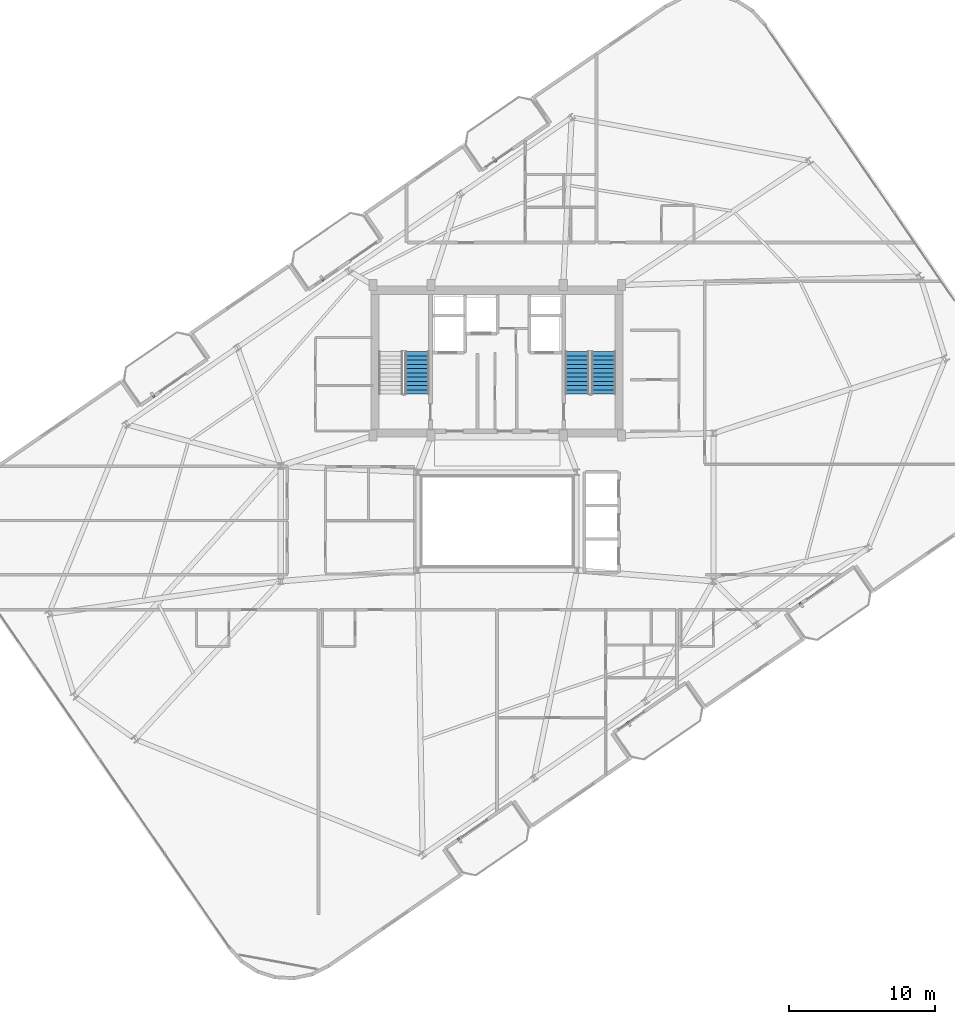
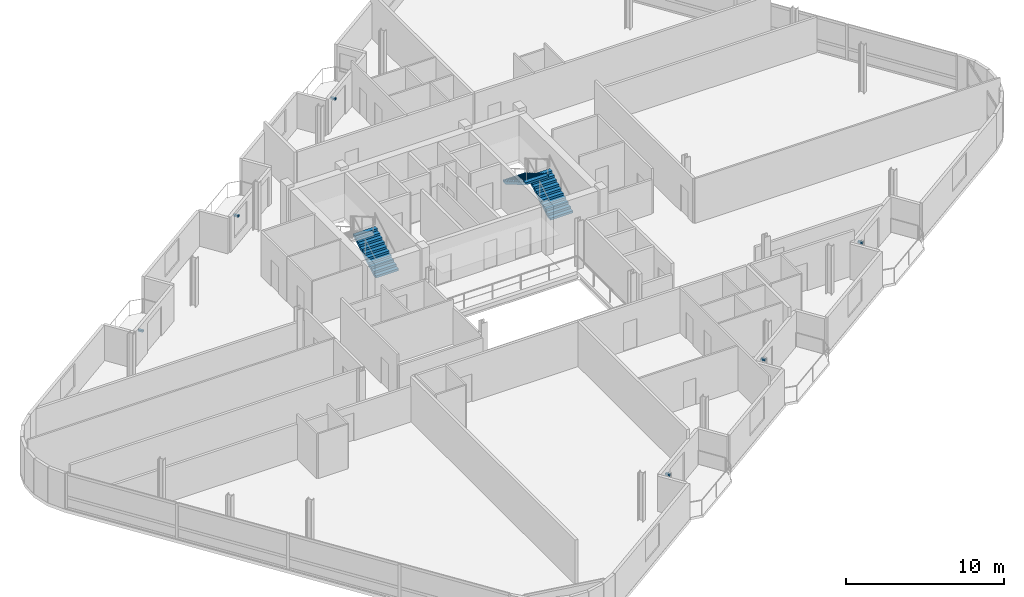
# One storey, part 20 of 23: 6 discrete accessories, 3 stair flights, 2 elements without a shape of their own.
"""IFC4 building model written with IfcOpenShell, lengths in metres."""

import ifcopenshell
import ifcopenshell.guid

model = None  # the IFC model being written
_history = None  # IfcOwnerHistory: only IFC2X3 demands one
_inside = {}  # id of a spatial element -> (the spatial element, [elements in it])
_under = {}  # id of a project, library or spatial element -> (it, [spatial elements below it])
_declared = {}  # id of a project -> (the project, [libraries it declares])
_typed = {}  # id of a type object -> (the type object, [elements of that type])
_made_of = {}  # id of a material, layer set ... -> (it, [elements and type objects made of it])


def new_model(schema):
    """Start an empty IFC model of exactly this schema.

    Asked for "IFC4X3", IfcOpenShell would pick the latest addendum, in which some entities
    have other attributes; the version numbers below select the first issue.
    IFC2X3 requires an IfcOwnerHistory on every rooted entity: one is made here for all.
    """
    global model, _history
    if schema == "IFC4X3":
        model = ifcopenshell.file(schema_version=(4, 3, 0, 0))
    else:
        model = ifcopenshell.file(schema=schema)
    _inside.clear()
    _under.clear()
    _declared.clear()
    _typed.clear()
    _made_of.clear()
    _history = None
    if model.schema == "IFC2X3":
        org = make("IfcOrganization", Name="unknown")
        user = make(
            "IfcPersonAndOrganization",
            ThePerson=make("IfcPerson", FamilyName="unknown"),
            TheOrganization=org,
        )
        app = make(
            "IfcApplication",
            ApplicationDeveloper=org,
            Version="unknown",
            ApplicationFullName="unknown",
            ApplicationIdentifier="unknown",
        )
        _history = make(
            "IfcOwnerHistory",
            OwningUser=user,
            OwningApplication=app,
            ChangeAction="ADDED",
            CreationDate=0,
        )
    return model


def make(cls, **values):
    """One entity of the class cls with the attributes given. An attribute that is None is left unset."""
    return model.create_entity(
        cls, **{name: value for name, value in values.items() if value is not None}
    )


def rooted(cls, **values):
    """An entity with a GlobalId (a new one), such as an element, a storey or a relation."""
    return make(cls, GlobalId=ifcopenshell.guid.new(), OwnerHistory=_history, **values)


def si_unit(unit_type, name, prefix=None):
    """IfcSIUnit, for example si_unit("LENGTHUNIT", "METRE", prefix="MILLI")."""
    return make("IfcSIUnit", UnitType=unit_type, Prefix=prefix, Name=name)


def assignment(units):
    """IfcUnitAssignment: the units of a project."""
    return None if units is None else make("IfcUnitAssignment", Units=units)


def point(xyz):
    """IfcCartesianPoint."""
    return None if xyz is None else make("IfcCartesianPoint", Coordinates=xyz)


def direction(xyz):
    """IfcDirection."""
    return None if xyz is None else make("IfcDirection", DirectionRatios=xyz)


def frame(location, z_axis=None, x_axis=None):
    """IfcAxis2Placement3D, a coordinate frame: its origin and axes. An axis left out is left unset."""
    return make(
        "IfcAxis2Placement3D",
        Location=point(location),
        Axis=direction(z_axis),
        RefDirection=direction(x_axis),
    )


def frame_2d(location, x_axis=None):
    """IfcAxis2Placement2D, a coordinate frame in the plane: its origin and x axis."""
    return make(
        "IfcAxis2Placement2D", Location=point(location), RefDirection=direction(x_axis)
    )


def origin():
    """The frame at (0, 0, 0) with its axes left unset."""
    return frame((0.0, 0.0, 0.0))


def origin_2d():
    """The frame at (0, 0) in the plane with its x axis left unset."""
    return frame_2d((0.0, 0.0))


def place(relative_to, where):
    """IfcLocalPlacement: puts the frame where relative to a parent placement (None: the world)."""
    return make(
        "IfcLocalPlacement", PlacementRelTo=relative_to, RelativePlacement=where
    )


def context(
    kind, dimensions, precision=None, world=None, true_north=None, identifier=None
):
    """IfcGeometricRepresentationContext, for example the 3D "Model" context."""
    return make(
        "IfcGeometricRepresentationContext",
        ContextIdentifier=identifier,
        ContextType=kind,
        CoordinateSpaceDimension=dimensions,
        Precision=precision,
        WorldCoordinateSystem=world,
        TrueNorth=true_north,
    )


def subcontext(parent, identifier, kind, view, scale=None):
    """IfcGeometricRepresentationSubContext, for example "Body" below "Model"."""
    return make(
        "IfcGeometricRepresentationSubContext",
        ContextIdentifier=identifier,
        ContextType=kind,
        ParentContext=parent,
        TargetScale=scale,
        TargetView=view,
    )


def project(units=None, contexts=None):
    """IfcProject with its units and contexts."""
    return rooted(
        "IfcProject",
        Name="project",
        RepresentationContexts=contexts,
        UnitsInContext=assignment(units),
    )


def spatial(cls, under=None, at=None, **own):
    """A site, building, storey or space (cls), placed at a placement, below another one or the project."""
    s = rooted(cls, ObjectPlacement=at, **own)
    if under is not None:
        _under.setdefault(under.id(), (under, []))[1].append(s)
    return s


def polyline(points):
    """IfcPolyline through the points."""
    return make("IfcPolyline", Points=[point(p) for p in points])


def profile(cls, at=None, kind="AREA", **sizes):
    """A parametric profile (cls). Its sizes go by their IFC names, for example OverallWidth=200.0."""
    return make(cls, ProfileType=kind, Position=at, **sizes)


def rectangle(**sizes):
    """IfcRectangleProfileDef."""
    return profile("IfcRectangleProfileDef", **sizes)


def outline(outer, holes=None, kind="AREA"):
    """IfcArbitraryClosedProfileDef: a profile drawn as a closed curve; with holes, ...WithVoids."""
    if holes is None:
        return make("IfcArbitraryClosedProfileDef", ProfileType=kind, OuterCurve=outer)
    return make(
        "IfcArbitraryProfileDefWithVoids",
        ProfileType=kind,
        OuterCurve=outer,
        InnerCurves=holes,
    )


def extrude(swept, where, along, depth):
    """IfcExtrudedAreaSolid: the profile swept, set in the frame where, extruded along a direction by depth."""
    return make(
        "IfcExtrudedAreaSolid",
        SweptArea=swept,
        Position=where,
        ExtrudedDirection=direction(along),
        Depth=depth,
    )


def shape(context_of_items, identifier, shape_type, items):
    """IfcShapeRepresentation: the items that make up one representation, for example the "Body"."""
    return make(
        "IfcShapeRepresentation",
        ContextOfItems=context_of_items,
        RepresentationIdentifier=identifier,
        RepresentationType=shape_type,
        Items=items,
    )


def source(mapping_origin, context_of_items, identifier, shape_type, items):
    """IfcRepresentationMap: a shape defined once, which mapped items show again and again."""
    return make(
        "IfcRepresentationMap",
        MappingOrigin=mapping_origin,
        MappedRepresentation=shape(context_of_items, identifier, shape_type, items),
    )


def transform(
    local_origin,
    x_axis=None,
    y_axis=None,
    z_axis=None,
    scale=None,
    scale2=None,
    scale3=None,
    uniform=True,
):
    """IfcCartesianTransformationOperator3D, or its non-uniform kind. x_axis, y_axis, z_axis: its Axis1, 2, 3."""
    if uniform:
        return make(
            "IfcCartesianTransformationOperator3D",
            Axis1=direction(x_axis),
            Axis2=direction(y_axis),
            LocalOrigin=point(local_origin),
            Scale=scale,
            Axis3=direction(z_axis),
        )
    return make(
        "IfcCartesianTransformationOperator3DnonUniform",
        Axis1=direction(x_axis),
        Axis2=direction(y_axis),
        LocalOrigin=point(local_origin),
        Scale=scale,
        Axis3=direction(z_axis),
        Scale2=scale2,
        Scale3=scale3,
    )


def mapped(mapping_source, mapping_target):
    """IfcMappedItem: shows the shape of a source again, moved by a transform."""
    return make(
        "IfcMappedItem", MappingSource=mapping_source, MappingTarget=mapping_target
    )


def material(Name=None, Category=None):
    """IfcMaterial."""
    return make("IfcMaterial", Name=Name, Category=Category)


def made_of(thing, what):
    """Note that an element or type object is made of a material, layer set ...; save() writes the relation."""
    if what is not None:
        _made_of.setdefault(what.id(), (what, []))[1].append(thing)
    return thing


def type_object(cls, material=None, **own):
    """A type object (cls), such as IfcWallType, which elements share."""
    return made_of(rooted(cls, **own), material)


def element(
    cls,
    number,
    at=None,
    inside=None,
    cuts=None,
    type_object=None,
    material=None,
    context=None,
    identifier="Body",
    shape_type=None,
    held_by="IfcProductDefinitionShape",
    body=None,
    shapes=None,
    **own,
):
    """One element of the class cls, such as IfcWall. Its Tag is "e" and its number.

    at: its placement. inside: the storey or other place that contains it. cuts: it is an
    opening in that element (IfcRelVoidsElement). A single representation is given by context,
    identifier, shape_type and body (its items); several are given by shapes. held_by: the class
    of the entity that holds the representations. save() writes the other relations.
    """
    e = rooted(cls, Tag="e%d" % number, ObjectPlacement=at, **own)
    if body is not None:
        shapes = [shape(context, identifier, shape_type, body)]
    if shapes is not None:
        e.Representation = make(held_by, Representations=shapes)
    if inside is not None:
        _inside.setdefault(inside.id(), (inside, []))[1].append(e)
    if cuts is not None:
        rooted(
            "IfcRelVoidsElement", RelatingBuildingElement=cuts, RelatedOpeningElement=e
        )
    if type_object is not None:
        _typed.setdefault(type_object.id(), (type_object, []))[1].append(e)
    return made_of(e, material)


def aggregate(whole, parts):
    """IfcRelAggregates: a whole, such as a stair, and the parts it consists of."""
    return rooted("IfcRelAggregates", RelatingObject=whole, RelatedObjects=parts)


def save(model, path):
    """Write the relations noted so far, then the file.

    IfcRelAggregates (storeys below a building ...), IfcRelContainedInSpatialStructure (elements
    in a storey), IfcRelDefinesByType, IfcRelAssociatesMaterial and IfcRelDeclares: one each for
    every whole, place, type object, material and project.
    """
    for whole, parts in _under.values():
        aggregate(whole, parts)
    for where, things in _inside.values():
        rooted(
            "IfcRelContainedInSpatialStructure",
            RelatedElements=things,
            RelatingStructure=where,
        )
    for kind, things in _typed.values():
        rooted("IfcRelDefinesByType", RelatedObjects=things, RelatingType=kind)
    for what, things in _made_of.values():
        rooted("IfcRelAssociatesMaterial", RelatedObjects=things, RelatingMaterial=what)
    for by, libraries in _declared.values():
        rooted("IfcRelDeclares", RelatingContext=by, RelatedDefinitions=libraries)
    model.write(path)


model = new_model("IFC4")

# Units and contexts
model_context = context("Model", 3, precision=1e-05, world=origin(), true_north=direction((0.0, 1.0)))
body_context = subcontext(model_context, "Body", "Model", "MODEL_VIEW")
ifc_project = project(units=[si_unit("LENGTHUNIT", "METRE"), si_unit("AREAUNIT", "SQUARE_METRE"), si_unit("VOLUMEUNIT", "CUBIC_METRE"), si_unit("PLANEANGLEUNIT", "RADIAN"), si_unit("MASSUNIT", "GRAM", prefix="KILO")], contexts=[model_context])

# Site, building, storey
site_placement = place(None, origin())
site = spatial("IfcSite", under=ifc_project, at=site_placement, CompositionType="ELEMENT")
building_placement = place(site_placement, origin())
building = spatial("IfcBuilding", under=site, at=building_placement, Name="Varnelok Gate Tower", CompositionType="ELEMENT")
storey_placement = place(building_placement, frame((0.0, 0.0, 273.0)))
storey = spatial("IfcBuildingStorey", under=building, at=storey_placement, Name="L70", CompositionType="ELEMENT", Elevation=273.0)

# Stair, stair flight
ifc_material_1 = material(Name="Concrete C50/60", Category="concrete")
stair_type = type_object("IfcStairType", Name="STR-CORE-1650", PredefinedType="HALF_TURN_STAIR", material=ifc_material_1)
stair_1_placement = place(storey_placement, origin())
stair_1 = element("IfcStair", 1, at=stair_1_placement, inside=storey, type_object=stair_type, Name="L70 Exit Stair ST-1", PredefinedType="HALF_TURN_STAIR")
stair_flight_type = type_object("IfcStairFlightType", Name="SFL-CORE-1650", PredefinedType="STRAIGHT", material=ifc_material_1)
stair_flight_1_placement = place(storey_placement, frame((33.72509765625, 31.60009765625, 0.0), z_axis=(0.0, 0.0, 1.0), x_axis=(0.0, 1.0, 0.0)))
stair_flight_1 = element("IfcStairFlight", 2, at=stair_flight_1_placement, type_object=stair_flight_type, Name="ST-1 flight 1", NumberOfRisers=11, NumberOfTreads=10, PredefinedType="STRAIGHT", RiserHeight=0.168181818, TreadLength=0.29, context=body_context, shape_type="SweptSolid", body=[
    extrude(outline(polyline([(0.0, 0.0), (0.0, 0.168212890625), (0.2900390625, 0.168212890625), (0.2900390625, 0.33642578125), (0.580078125, 0.33642578125), (0.580078125, 0.504638671875), (0.8701171875, 0.504638671875), (0.8701171875, 0.672607421875), (1.159912109375, 0.672607421875), (1.159912109375, 0.8408203125), (1.449951171875, 0.8408203125), (1.449951171875, 1.009033203125), (1.739990234375, 1.009033203125), (1.739990234375, 1.17724609375), (2.030029296875, 1.17724609375), (2.030029296875, 1.345458984375), (2.320068359375, 1.345458984375), (2.320068359375, 1.513671875), (2.610107421875, 1.513671875), (2.610107421875, 1.681884765625), (2.89990234375, 1.681884765625), (2.89990234375, 1.85009765625), (2.89990234375, 1.508544921875), (0.298828125, 0.0), (0.0, 0.0)])), frame((0.0, 0.824951171875, 0.0), z_axis=(0.0, -1.0, 0.0), x_axis=(1.0, 0.0, 0.0)), (0.0, 0.0, 1.0), 1.64990234375),
])
aggregate(stair_1, [stair_flight_1])

# Stair, stair flights
stair_2_placement = place(storey_placement, origin())
stair_2 = element("IfcStair", 3, at=stair_2_placement, inside=storey, type_object=stair_type, Name="L70 Exit Stair ST-2", PredefinedType="HALF_TURN_STAIR")
stair_flight_2_placement = place(storey_placement, frame((46.47509765625, 31.60009765625, 0.0), z_axis=(0.0, 0.0, 1.0), x_axis=(0.0, 1.0, 0.0)))
stair_flight_2 = element("IfcStairFlight", 4, at=stair_flight_2_placement, type_object=stair_flight_type, Name="ST-2 flight 1", NumberOfRisers=11, NumberOfTreads=10, PredefinedType="STRAIGHT", RiserHeight=0.168181818, TreadLength=0.29, context=body_context, shape_type="SweptSolid", body=[
    extrude(outline(polyline([(0.0, 0.0), (0.0, 0.168212890625), (0.2900390625, 0.168212890625), (0.2900390625, 0.33642578125), (0.580078125, 0.33642578125), (0.580078125, 0.504638671875), (0.8701171875, 0.504638671875), (0.8701171875, 0.672607421875), (1.159912109375, 0.672607421875), (1.159912109375, 0.8408203125), (1.449951171875, 0.8408203125), (1.449951171875, 1.009033203125), (1.739990234375, 1.009033203125), (1.739990234375, 1.17724609375), (2.030029296875, 1.17724609375), (2.030029296875, 1.345458984375), (2.320068359375, 1.345458984375), (2.320068359375, 1.513671875), (2.610107421875, 1.513671875), (2.610107421875, 1.681884765625), (2.89990234375, 1.681884765625), (2.89990234375, 1.85009765625), (2.89990234375, 1.508544921875), (0.298828125, 0.0), (0.0, 0.0)])), frame((0.0, 0.824951171875, 0.0), z_axis=(0.0, -1.0, 0.0), x_axis=(1.0, 0.0, 0.0)), (0.0, 0.0, 1.0), 1.64990234375),
])
stair_flight_3_placement = place(storey_placement, frame((44.675048828125, 34.5, 1.85009765625), z_axis=(0.0, 0.0, 1.0), x_axis=(0.0, -1.0, 0.0)))
stair_flight_3 = element("IfcStairFlight", 5, at=stair_flight_3_placement, type_object=stair_flight_type, Name="ST-2 flight 2", NumberOfRisers=11, NumberOfTreads=10, PredefinedType="STRAIGHT", RiserHeight=0.168181818, TreadLength=0.29, context=body_context, shape_type="SweptSolid", body=[
    extrude(outline(polyline([(0.0, 0.0), (0.0, 0.168212890625), (0.2900390625, 0.168212890625), (0.2900390625, 0.33642578125), (0.580078125, 0.33642578125), (0.580078125, 0.504638671875), (0.8701171875, 0.504638671875), (0.8701171875, 0.672607421875), (1.159912109375, 0.672607421875), (1.159912109375, 0.8408203125), (1.449951171875, 0.8408203125), (1.449951171875, 1.009033203125), (1.739990234375, 1.009033203125), (1.739990234375, 1.17724609375), (2.030029296875, 1.17724609375), (2.030029296875, 1.345458984375), (2.320068359375, 1.345458984375), (2.320068359375, 1.513671875), (2.610107421875, 1.513671875), (2.610107421875, 1.681884765625), (2.89990234375, 1.681884765625), (2.89990234375, 1.85009765625), (2.89990234375, 1.508544921875), (0.298828125, 0.0), (0.0, 0.0)])), frame((0.0, 0.824951171875, 0.0), z_axis=(0.0, -1.0, 0.0), x_axis=(1.0, 0.0, 0.0)), (0.0, 0.0, 1.0), 1.64990234375),
])
aggregate(stair_2, [stair_flight_2, stair_flight_3])

# Discrete accessories
ifc_material_2 = material(Name="Structural Steel ASTM A500 Grade C", Category="steel")
discrete_accessory_type = type_object("IfcDiscreteAccessoryType", Name="ACC-BAGUETTE-BRK", PredefinedType="BRACKET", material=ifc_material_2)
shared_shape = source(origin(), body_context, "Body", "SweptSolid", [
    extrude(rectangle(XDim=0.159912109375, YDim=0.340087890625, at=origin_2d()), origin(), (0.0, 0.0, 1.0), 0.139892578125),
])
for number, where, z_axis, x_axis, name in (
    (6, (36.62158203125, 1.09619140625, 1.97998046875), (0.0, 0.0, 1.0), (0.823532597628, 0.567268949127, 0.0), "L70 Terracotta Baguette Bracket 1.1"),
    (7, (48.195068359375, 9.068359375, 1.97998046875), (0.0, 0.0, 1.0), (0.823532597628, 0.567268949127, 0.0), "L70 Terracotta Baguette Bracket 2.1"),
    (8, (59.982666015625, 17.187744140625, 1.97998046875), (0.0, 0.0, 1.0), (0.823532597628, 0.567268949127, 0.0), "L70 Terracotta Baguette Bracket 3.1"),
    (9, (15.66650390625, 31.517333984375, 1.97998046875), (0.0, 0.0, 1.0), (0.823532597628, 0.567268949127, 0.0), "L70 Terracotta Baguette Bracket 4.1"),
    (10, (27.240234375, 39.489501953125, 1.97998046875), (0.0, 0.0, 1.0), (0.823532597628, 0.567268949127, 0.0), "L70 Terracotta Baguette Bracket 5.1"),
    (11, (39.027587890625, 47.609130859375, 1.97998046875), (0.0, 0.0, 1.0), (0.823532597628, 0.567268949127, 0.0), "L70 Terracotta Baguette Bracket 6.1"),
):
    element("IfcDiscreteAccessory", number, at=place(storey_placement, frame(where, z_axis=z_axis, x_axis=x_axis)), inside=storey, type_object=discrete_accessory_type, Name=name, PredefinedType="BRACKET", context=body_context, shape_type="MappedRepresentation", body=[
        mapped(shared_shape, transform((0.0, 0.0, 0.0), scale=1.0)),
    ])

save(model, "model.ifc")
